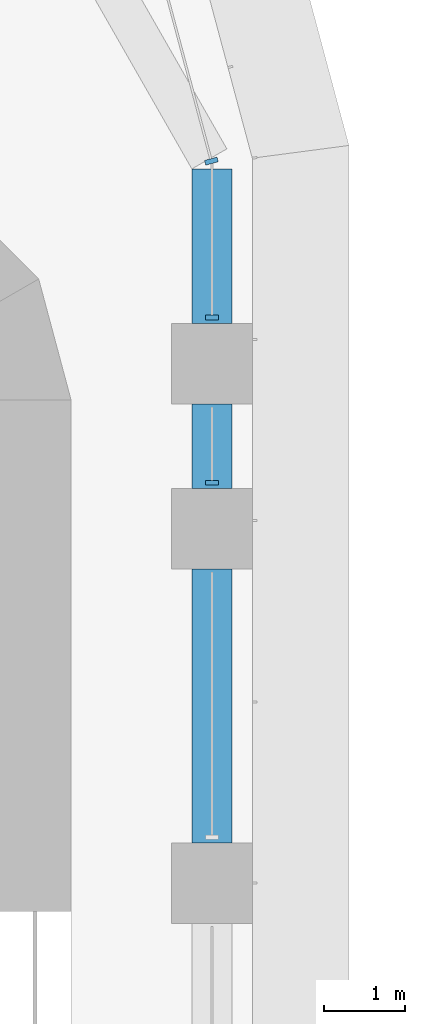
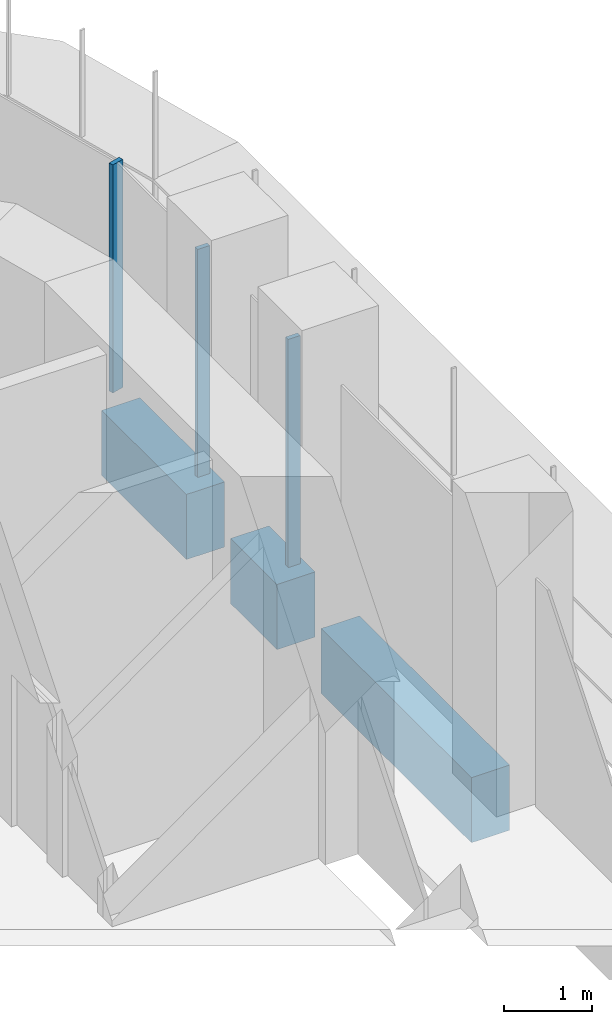
# One storey, part 10 of 23: 3 beams, 3 members, 2 elements without a shape of their own.
"""IFC4 building model written with IfcOpenShell, lengths in metres."""

from ifc_helpers import new_model, si_unit, direction, frame, origin, origin_2d, place, context, subcontext, project, spatial, polyline, rectangle, outline, extrude, source, transform, mapped, material, material_profile, profile_set, type_object, element, aggregate, save


model = new_model("IFC4")

# Units and contexts
model_context = context("Model", 3, precision=1e-05, world=origin(), true_north=direction((0.0, 1.0)))
body_context = subcontext(model_context, "Body", "Model", "MODEL_VIEW")
ifc_project = project(units=[si_unit("LENGTHUNIT", "METRE"), si_unit("AREAUNIT", "SQUARE_METRE"), si_unit("VOLUMEUNIT", "CUBIC_METRE"), si_unit("PLANEANGLEUNIT", "RADIAN"), si_unit("MASSUNIT", "GRAM", prefix="KILO")], contexts=[model_context])

# Site, building, storey
site_placement = place(None, origin())
site = spatial("IfcSite", under=ifc_project, at=site_placement, CompositionType="ELEMENT")
building_placement = place(site_placement, origin())
building = spatial("IfcBuilding", under=site, at=building_placement, Name="Zarbagh Exchange Tower", CompositionType="ELEMENT")
storey_placement = place(building_placement, frame((0.0, 0.0, 48.0)))
storey = spatial("IfcBuildingStorey", under=building, at=storey_placement, Name="L10", CompositionType="ELEMENT", Elevation=48.0)

# Beams
ifc_material_1 = material(Name="Concrete C60/75", Category="concrete")
ifc_material_profile = material_profile(ifc_material_1, rectangle(XDim=0.5, YDim=0.89990234375, at=origin_2d()), Name="RC spandrel beam 500 x 900 C60/75")
ifc_profile_set = profile_set([ifc_material_profile], Name="Concrete C60/75")
beam_type = type_object("IfcBeamType", Name="RC spandrel beam 500 x 900 C60/75", PredefinedType="SPANDREL", material=ifc_profile_set)
beam_1_placement = place(storey_placement, frame((6.25, 29.117919921875, -0.60009765625), z_axis=(0.0, -1.0, 0.0), x_axis=(1.0, 0.0, 0.0)))
element("IfcBeam", 1, at=beam_1_placement, inside=storey, type_object=beam_type, Name="RC spandrel beam", PredefinedType="SPANDREL", context=body_context, shape_type="SweptSolid", body=[
    extrude(rectangle(XDim=0.5, YDim=0.89990234375, at=origin_2d()), origin(), (0.0, 0.0, 1.0), 1.91796875),
])
beam_2_placement = place(storey_placement, frame((6.25, 26.199951171875, -0.60009765625), z_axis=(0.0, -1.0, 0.0), x_axis=(1.0, 0.0, 0.0)))
element("IfcBeam", 2, at=beam_2_placement, inside=storey, type_object=beam_type, Name="RC spandrel beam", PredefinedType="SPANDREL", context=body_context, shape_type="SweptSolid", body=[
    extrude(rectangle(XDim=0.5, YDim=0.89990234375, at=origin_2d()), origin(), (0.0, 0.0, 1.0), 1.050048828125),
])
beam_3_placement = place(storey_placement, frame((6.25, 24.14990234375, -0.60009765625), z_axis=(0.0, -1.0, 0.0), x_axis=(1.0, 0.0, 0.0)))
element("IfcBeam", 3, at=beam_3_placement, inside=storey, type_object=beam_type, Name="RC spandrel beam", PredefinedType="SPANDREL", context=body_context, shape_type="SweptSolid", body=[
    extrude(rectangle(XDim=0.5, YDim=0.89990234375, at=origin_2d()), origin(), (0.0, 0.0, 1.0), 3.39990234375),
])

# Curtain wall, members
ifc_material_2 = material(Name="Anodised aluminium frame and glazing", Category="aluminium")
curtain_wall_type = type_object("IfcCurtainWallType", Name="CWA Ribbon glazing, lower zones", PredefinedType="NOTDEFINED", material=ifc_material_2)
curtain_wall_1_placement = place(storey_placement, origin())
curtain_wall_1 = element("IfcCurtainWall", 4, at=curtain_wall_1_placement, inside=storey, type_object=curtain_wall_type, Name="CWA20 curtain wall", PredefinedType="NOTDEFINED")
ifc_material_3 = material(Name="Anodised aluminium frame", Category="aluminium")
member_type = type_object("IfcMemberType", Name="MUA Mullion, anodised aluminium frame", PredefinedType="MULLION", material=ifc_material_3)
shared_shape = source(origin(), body_context, "Body", "SweptSolid", [
    extrude(outline(polyline([(0.0, -0.080078125), (0.06005859375, -0.080078125), (0.06005859375, 0.080078125), (0.0, 0.080078125), (0.0, -0.080078125)])), origin(), (0.0, 0.0, 1.0), 3.14990234375),
])
placement = place(storey_placement, origin())
member_1 = element("IfcMember", 5, at=placement, type_object=member_type, Name="CWA20 mullion 4.1", PredefinedType="MULLION", context=body_context, shape_type="MappedRepresentation", body=[
    mapped(shared_shape, transform((6.25, 25.18994140625, 0.0), x_axis=(0.0, 1.0, 0.0), y_axis=(-1.0, 0.0, 0.0), z_axis=(0.0, 0.0, 1.0))),
])
member_2 = element("IfcMember", 6, at=placement, type_object=member_type, Name="CWA20 mullion 5.1", PredefinedType="MULLION", context=body_context, shape_type="MappedRepresentation", body=[
    mapped(shared_shape, transform((6.25, 27.239990234375, 0.0), x_axis=(0.0, 1.0, 0.0), y_axis=(-1.0, 0.0, 0.0), z_axis=(0.0, 0.0, 1.0))),
])
aggregate(curtain_wall_1, [member_1, member_2])

# Curtain wall, member
curtain_wall_2_placement = place(storey_placement, origin())
curtain_wall_2 = element("IfcCurtainWall", 7, at=curtain_wall_2_placement, inside=storey, type_object=curtain_wall_type, Name="CWA21 curtain wall", PredefinedType="NOTDEFINED")
member_3 = element("IfcMember", 8, at=placement, type_object=member_type, Name="CWA21 mullion 1.1", PredefinedType="MULLION", context=body_context, shape_type="MappedRepresentation", body=[
    mapped(shared_shape, transform((6.25, 29.18408203125, 0.0), x_axis=(-0.258824779902, 0.965924289636, 0.0), y_axis=(-0.965924289636, -0.258824779902, 0.0), z_axis=(0.0, 0.0, 1.0))),
])
aggregate(curtain_wall_2, [member_3])

save(model, "model.ifc")
